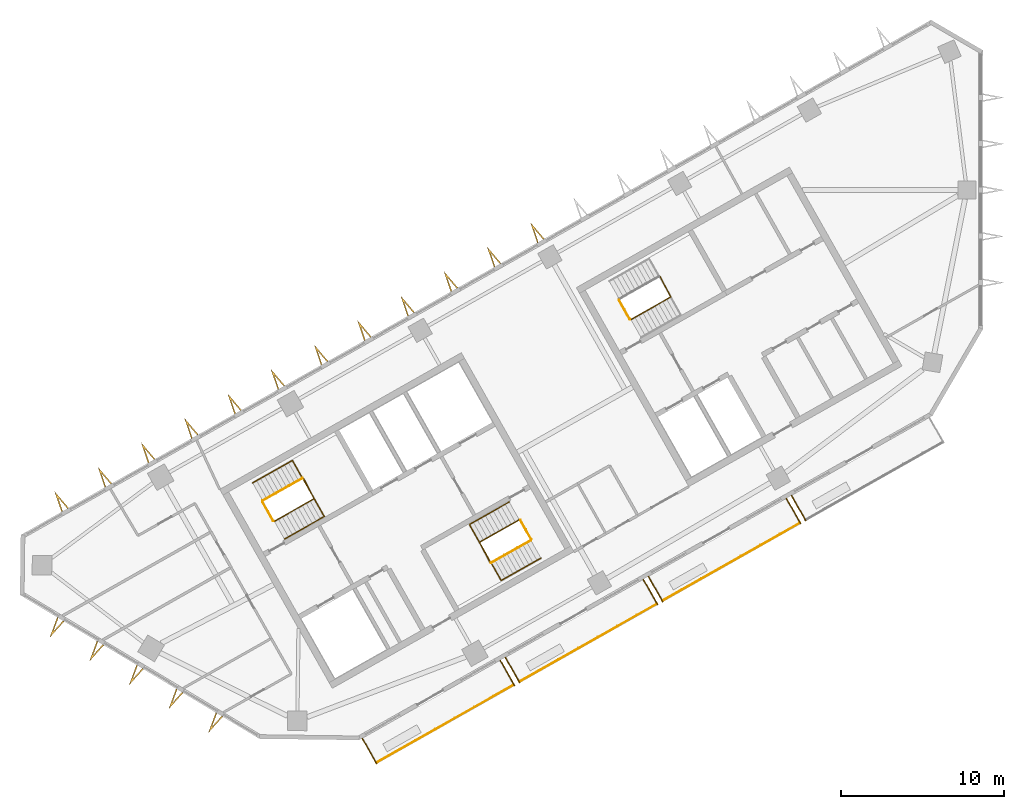
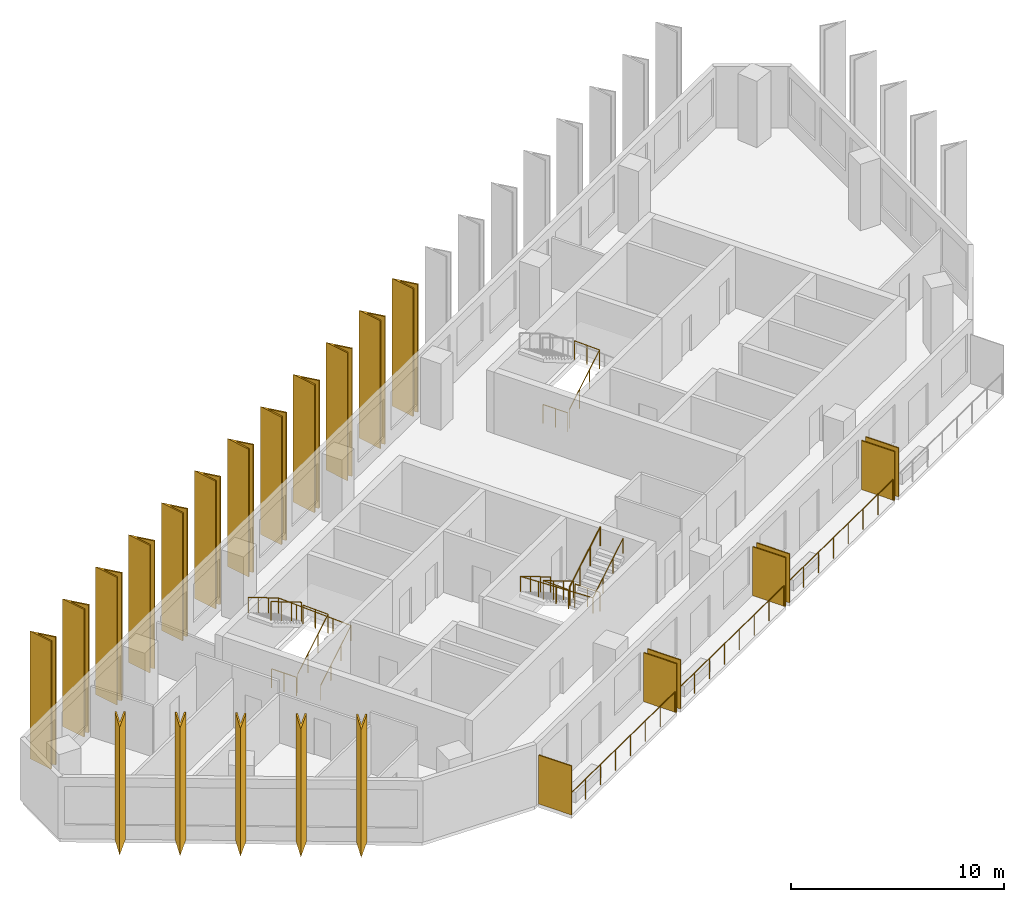
# One storey, part 6 of 8: 24 shading devices, 13 railings.
"""IFC4 building model written with IfcOpenShell, lengths in metres."""

from ifc_helpers import new_model, si_unit, direction, frame, origin, origin_2d, place, context, subcontext, project, spatial, polyline, rectangle, circle, outline, extrude, material, layer, layer_set, type_object, element, save


model = new_model("IFC4")

# Units and contexts
model_context = context("Model", 3, precision=1e-05, world=origin(), true_north=direction((0.0, 1.0)))
body_context = subcontext(model_context, "Body", "Model", "MODEL_VIEW")
ifc_project = project(units=[si_unit("LENGTHUNIT", "METRE"), si_unit("AREAUNIT", "SQUARE_METRE"), si_unit("VOLUMEUNIT", "CUBIC_METRE"), si_unit("PLANEANGLEUNIT", "RADIAN"), si_unit("MASSUNIT", "GRAM", prefix="KILO")], contexts=[model_context])

# Site, building, storey
site_placement = place(None, origin())
site = spatial("IfcSite", under=ifc_project, at=site_placement, CompositionType="ELEMENT")
building_placement = place(site_placement, origin())
building = spatial("IfcBuilding", under=site, at=building_placement, Name="Binnacle Exchange Tower", CompositionType="ELEMENT")
storey_placement = place(building_placement, frame((0.0, 0.0, 293.10009765625)))
storey = spatial("IfcBuildingStorey", under=building, at=storey_placement, Name="L65", CompositionType="ELEMENT", Elevation=293.10009765625)

# Railings
ifc_material_1 = material(Name="Bronze anodised aluminium frame", Category="aluminium")
railing_type_1 = type_object("IfcRailingType", Name="GUARD 1200", PredefinedType="GUARDRAIL", material=ifc_material_1)
for number, where, name in (
    (1, (-37.006591796875, 24.94287109375, 0.0), "Balcony guard H07-B00 L65"),
    (2, (-28.24365234375, 29.900634765625, 0.0), "Balcony guard H07-B01 L65"),
):
    element("IfcRailing", number, at=place(storey_placement, frame(where)), inside=storey, type_object=railing_type_1, Name=name, PredefinedType="GUARDRAIL", context=body_context, shape_type="SweptSolid", body=[
        extrude(circle(Radius=0.02392578125, at=origin_2d()), frame((0.0, 0.0, 1.17578125), z_axis=(0.870359171481, 0.492417417055, 0.0), x_axis=(-0.492417417055, 0.870359171481, 0.0)), (0.0, 0.0, 1.0), 9.648193359375),
        extrude(circle(Radius=0.02099609375, at=origin_2d()), origin(), (0.0, 0.0, 1.0), 1.15185546875),
        extrude(circle(Radius=0.02099609375, at=origin_2d()), frame((1.19970703125, 0.6787109375, 0.0)), (0.0, 0.0, 1.0), 1.15185546875),
        extrude(circle(Radius=0.02099609375, at=origin_2d()), frame((2.399169921875, 1.357421875, 0.0)), (0.0, 0.0, 1.0), 1.15185546875),
        extrude(circle(Radius=0.02099609375, at=origin_2d()), frame((3.598876953125, 2.0361328125, 0.0)), (0.0, 0.0, 1.0), 1.15185546875),
        extrude(circle(Radius=0.02099609375, at=origin_2d()), frame((4.798583984375, 2.71484375, 0.0)), (0.0, 0.0, 1.0), 1.15185546875),
        extrude(circle(Radius=0.02099609375, at=origin_2d()), frame((5.998291015625, 3.3935546875, 0.0)), (0.0, 0.0, 1.0), 1.15185546875),
        extrude(circle(Radius=0.02099609375, at=origin_2d()), frame((7.19775390625, 4.072265625, 0.0)), (0.0, 0.0, 1.0), 1.15185546875),
        extrude(circle(Radius=0.02099609375, at=origin_2d()), frame((8.3974609375, 4.7509765625, 0.0)), (0.0, 0.0, 1.0), 1.15185546875),
    ])
railing_1_placement = place(storey_placement, frame((-19.480712890625, 34.8583984375, 0.0)))
element("IfcRailing", 3, at=railing_1_placement, inside=storey, type_object=railing_type_1, Name="Balcony guard H07-B02 L65", PredefinedType="GUARDRAIL", context=body_context, shape_type="SweptSolid", body=[
    extrude(circle(Radius=0.02392578125, at=origin_2d()), frame((0.0, 0.0, 1.17578125), z_axis=(0.870342190373, 0.492447430349, 0.0), x_axis=(-0.492447430349, 0.870342190373, 0.0)), (0.0, 0.0, 1.0), 9.648193359375),
    extrude(circle(Radius=0.02099609375, at=origin_2d()), origin(), (0.0, 0.0, 1.0), 1.15185546875),
    extrude(circle(Radius=0.02099609375, at=origin_2d()), frame((1.19970703125, 0.6787109375, 0.0)), (0.0, 0.0, 1.0), 1.15185546875),
    extrude(circle(Radius=0.02099609375, at=origin_2d()), frame((2.399169921875, 1.357421875, 0.0)), (0.0, 0.0, 1.0), 1.15185546875),
    extrude(circle(Radius=0.02099609375, at=origin_2d()), frame((3.598876953125, 2.0361328125, 0.0)), (0.0, 0.0, 1.0), 1.15185546875),
    extrude(circle(Radius=0.02099609375, at=origin_2d()), frame((4.79833984375, 2.715087890625, 0.0)), (0.0, 0.0, 1.0), 1.15185546875),
    extrude(circle(Radius=0.02099609375, at=origin_2d()), frame((5.998046875, 3.393798828125, 0.0)), (0.0, 0.0, 1.0), 1.15185546875),
    extrude(circle(Radius=0.02099609375, at=origin_2d()), frame((7.197509765625, 4.072509765625, 0.0)), (0.0, 0.0, 1.0), 1.15185546875),
    extrude(circle(Radius=0.02099609375, at=origin_2d()), frame((8.397216796875, 4.751220703125, 0.0)), (0.0, 0.0, 1.0), 1.15185546875),
])

# Shading devices
ifc_material_2 = material(Name="Bronze aluminium louvre", Category="aluminium")
ifc_layer = layer(ifc_material_2, 0.06005859375)
ifc_layer_set = layer_set([ifc_layer], Name="PLANTED SCREEN 60x2800")
shading_device_type_1 = type_object("IfcShadingDeviceType", Name="PLANTED SCREEN 60x2800", PredefinedType="USERDEFINED", material=ifc_layer_set)
for number, where, z_axis, x_axis, name in (
    (4, (-37.436279296875, 25.641845703125, 0.0), (0.0, 0.0, 1.0), (0.87035569594, 0.492423560103, 0.0), "Planted screen H07-B00a L65"),
    (5, (-28.98681640625, 30.42236328125, 0.0), (0.0, 0.0, 1.0), (0.87035569594, 0.492423560103, 0.0), "Planted screen H07-B00b L65"),
    (6, (-28.673583984375, 30.599609375, 0.0), (0.0, 0.0, 1.0), (0.87035569594, 0.492423560103, 0.0), "Planted screen H07-B01a L65"),
    (7, (-20.223876953125, 35.380126953125, 0.0), (0.0, 0.0, 1.0), (0.87035569594, 0.492423560103, 0.0), "Planted screen H07-B01b L65"),
    (8, (-19.91064453125, 35.5576171875, 0.0), (0.0, 0.0, 1.0), (0.87035569594, 0.492423560103, 0.0), "Planted screen H07-B02a L65"),
    (9, (-11.461181640625, 40.337890625, 0.0), (0.0, 0.0, 1.0), (0.87035569594, 0.492423560103, 0.0), "Planted screen H07-B02b L65"),
    (10, (-11.147705078125, 40.51513671875, 0.0), (0.0, 0.0, 1.0), (0.87035569594, 0.492423560103, 0.0), "Planted screen H07-B03a L65"),
):
    element("IfcShadingDevice", number, at=place(storey_placement, frame(where, z_axis=z_axis, x_axis=x_axis)), inside=storey, type_object=shading_device_type_1, Name=name, ObjectType="SCREEN", PredefinedType="USERDEFINED", context=body_context, shape_type="SweptSolid", body=[
        extrude(rectangle(XDim=0.06005859375, YDim=1.800048828125, at=origin_2d()), origin(), (0.0, 0.0, 1.0), 2.800048828125),
    ])

# Railings
ifc_material_3 = material(Name="Steel guard rail", Category="steel")
railing_type_2 = type_object("IfcRailingType", Name="STAIR GUARD 1100", PredefinedType="GUARDRAIL", material=ifc_material_3)
railing_2_placement = place(storey_placement, frame((-43.26171875, 39.71728515625, 0.172607421875)))
element("IfcRailing", 11, at=railing_2_placement, inside=storey, type_object=railing_type_2, Name="L65 STA1 stair guard 1", PredefinedType="GUARDRAIL", context=body_context, shape_type="SweptSolid", body=[
    extrude(circle(Radius=0.02392578125, at=origin_2d()), frame((0.0, 0.0, 1.076171875), z_axis=(0.740737961854, 0.419123222656, 0.525017138862), x_axis=(-0.492453686477, 0.870338650569, 0.0)), (0.0, 0.0, 1.0), 3.2900390625),
    extrude(circle(Radius=0.02392578125, at=origin_2d()), frame((2.43701171875, 1.37890625, 2.80322265625), z_axis=(-0.461100321709, 0.887348011391, 0.0), x_axis=(-0.887348011391, -0.461100321709, 0.0)), (0.0, 0.0, 1.0), 1.40087890625),
    extrude(circle(Radius=0.02099609375, at=origin_2d()), origin(), (0.0, 0.0, 1.0), 1.052001953125),
    extrude(circle(Radius=0.02099609375, at=origin_2d()), frame((0.812255859375, 0.459716796875, 0.57568359375)), (0.0, 0.0, 1.0), 1.052001953125),
    extrude(circle(Radius=0.02099609375, at=origin_2d()), frame((1.624755859375, 0.919189453125, 1.151611328125)), (0.0, 0.0, 1.0), 1.052001953125),
    extrude(circle(Radius=0.02099609375, at=origin_2d()), frame((2.43701171875, 1.37890625, 1.727294921875)), (0.0, 0.0, 1.0), 1.052001953125),
    extrude(circle(Radius=0.02099609375, at=origin_2d()), frame((2.114013671875, 2.00048828125, 1.727294921875)), (0.0, 0.0, 1.0), 1.052001953125),
    extrude(circle(Radius=0.02099609375, at=origin_2d()), frame((1.791015625, 2.6220703125, 1.727294921875)), (0.0, 0.0, 1.0), 1.052001953125),
])
railing_3_placement = place(storey_placement, frame((-41.538818359375, 42.358154296875, 2.072509765625)))
element("IfcRailing", 12, at=railing_3_placement, inside=storey, type_object=railing_type_2, Name="L65 STA1 stair guard 2", PredefinedType="GUARDRAIL", context=body_context, shape_type="SweptSolid", body=[
    extrude(circle(Radius=0.02392578125, at=origin_2d()), frame((0.0, 0.0, 1.076171875), z_axis=(-0.740737961854, -0.419123222656, 0.525017138862), x_axis=(0.492453686477, -0.870338650569, 0.0)), (0.0, 0.0, 1.0), 3.2900390625),
    extrude(circle(Radius=0.02099609375, at=origin_2d()), origin(), (0.0, 0.0, 1.0), 1.052001953125),
    extrude(circle(Radius=0.02099609375, at=origin_2d()), frame((-0.812255859375, -0.459716796875, 0.57568359375)), (0.0, 0.0, 1.0), 1.052001953125),
    extrude(circle(Radius=0.02099609375, at=origin_2d()), frame((-1.624755859375, -0.919189453125, 1.151611328125)), (0.0, 0.0, 1.0), 1.052001953125),
    extrude(circle(Radius=0.02099609375, at=origin_2d()), frame((-2.43701171875, -1.37890625, 1.727294921875)), (0.0, 0.0, 1.0), 1.052001953125),
])
railing_4_placement = place(storey_placement, frame((-43.329833984375, 39.736328125, 0.0)))
element("IfcRailing", 13, at=railing_4_placement, inside=storey, type_object=railing_type_2, Name="L65 STA1 stair guard 3", PredefinedType="GUARDRAIL", context=body_context, shape_type="SweptSolid", body=[
    extrude(circle(Radius=0.02392578125, at=origin_2d()), frame((0.0, 0.0, 1.076171875), z_axis=(-0.4924922531, 0.870316827734, 0.0), x_axis=(-0.870316827734, -0.4924922531, 0.0)), (0.0, 0.0, 1.0), 1.349853515625),
    extrude(circle(Radius=0.02099609375, at=origin_2d()), origin(), (0.0, 0.0, 1.0), 1.052001953125),
    extrude(circle(Radius=0.02099609375, at=origin_2d()), frame((-0.33251953125, 0.58740234375, 0.0)), (0.0, 0.0, 1.0), 1.052001953125),
    extrude(circle(Radius=0.02099609375, at=origin_2d()), frame((-0.664794921875, 1.1748046875, 0.0)), (0.0, 0.0, 1.0), 1.052001953125),
])
railing_5_placement = place(storey_placement, frame((-28.265380859375, 39.814453125, 0.172607421875)))
element("IfcRailing", 14, at=railing_5_placement, inside=storey, type_object=railing_type_2, Name="L65 STA2 stair guard 1", PredefinedType="GUARDRAIL", context=body_context, shape_type="SweptSolid", body=[
    extrude(circle(Radius=0.02392578125, at=origin_2d()), frame((0.0, 0.0, 1.076171875), z_axis=(-0.740760999345, -0.419062048017, 0.525033467278), x_axis=(0.492387636113, -0.870376019777, 0.0)), (0.0, 0.0, 1.0), 3.289794921875),
    extrude(circle(Radius=0.02392578125, at=origin_2d()), frame((-2.43701171875, -1.378662109375, 2.80322265625), z_axis=(0.460963092712, -0.887419307406, 0.0), x_axis=(0.887419307406, 0.460963092712, 0.0)), (0.0, 0.0, 1.0), 1.40087890625),
    extrude(circle(Radius=0.02099609375, at=origin_2d()), origin(), (0.0, 0.0, 1.0), 1.052001953125),
    extrude(circle(Radius=0.02099609375, at=origin_2d()), frame((-0.812255859375, -0.45947265625, 0.57568359375)), (0.0, 0.0, 1.0), 1.052001953125),
    extrude(circle(Radius=0.02099609375, at=origin_2d()), frame((-1.624755859375, -0.919189453125, 1.151611328125)), (0.0, 0.0, 1.0), 1.052001953125),
    extrude(circle(Radius=0.02099609375, at=origin_2d()), frame((-2.43701171875, -1.378662109375, 1.727294921875)), (0.0, 0.0, 1.0), 1.052001953125),
    extrude(circle(Radius=0.02099609375, at=origin_2d()), frame((-2.1142578125, -2.000244140625, 1.727294921875)), (0.0, 0.0, 1.0), 1.052001953125),
    extrude(circle(Radius=0.02099609375, at=origin_2d()), frame((-1.791259765625, -2.621826171875, 1.727294921875)), (0.0, 0.0, 1.0), 1.052001953125),
])
railing_6_placement = place(storey_placement, frame((-29.988525390625, 37.173583984375, 2.072509765625)))
element("IfcRailing", 15, at=railing_6_placement, inside=storey, type_object=railing_type_2, Name="L65 STA2 stair guard 2", PredefinedType="GUARDRAIL", context=body_context, shape_type="SweptSolid", body=[
    extrude(circle(Radius=0.02392578125, at=origin_2d()), frame((0.0, 0.0, 1.076171875), z_axis=(0.740737961854, 0.419123222656, 0.525017138862), x_axis=(-0.492453686477, 0.870338650569, 0.0)), (0.0, 0.0, 1.0), 3.2900390625),
    extrude(circle(Radius=0.02099609375, at=origin_2d()), origin(), (0.0, 0.0, 1.0), 1.052001953125),
    extrude(circle(Radius=0.02099609375, at=origin_2d()), frame((0.812255859375, 0.459716796875, 0.57568359375)), (0.0, 0.0, 1.0), 1.052001953125),
    extrude(circle(Radius=0.02099609375, at=origin_2d()), frame((1.624755859375, 0.919189453125, 1.151611328125)), (0.0, 0.0, 1.0), 1.052001953125),
    extrude(circle(Radius=0.02099609375, at=origin_2d()), frame((2.43701171875, 1.37890625, 1.727294921875)), (0.0, 0.0, 1.0), 1.052001953125),
])
railing_7_placement = place(storey_placement, frame((-28.197265625, 39.795654296875, 0.0)))
element("IfcRailing", 16, at=railing_7_placement, inside=storey, type_object=railing_type_2, Name="L65 STA2 stair guard 3", PredefinedType="GUARDRAIL", context=body_context, shape_type="SweptSolid", body=[
    extrude(circle(Radius=0.02392578125, at=origin_2d()), frame((0.0, 0.0, 1.076171875), z_axis=(0.49241474071, -0.870360685654, 0.0), x_axis=(0.870360685654, 0.49241474071, 0.0)), (0.0, 0.0, 1.0), 1.35009765625),
    extrude(circle(Radius=0.02099609375, at=origin_2d()), origin(), (0.0, 0.0, 1.0), 1.052001953125),
    extrude(circle(Radius=0.02099609375, at=origin_2d()), frame((0.33251953125, -0.58740234375, 0.0)), (0.0, 0.0, 1.0), 1.052001953125),
    extrude(circle(Radius=0.02099609375, at=origin_2d()), frame((0.664794921875, -1.175048828125, 0.0)), (0.0, 0.0, 1.0), 1.052001953125),
])
railing_8_placement = place(storey_placement, frame((-21.423828125, 52.07275390625, 0.172607421875)))
element("IfcRailing", 17, at=railing_8_placement, inside=storey, type_object=railing_type_2, Name="L65 STC1 stair guard 1", PredefinedType="GUARDRAIL", context=body_context, shape_type="SweptSolid", body=[
    extrude(circle(Radius=0.02392578125, at=origin_2d()), frame((0.0, 0.0, 1.076171875), z_axis=(0.740760999345, 0.419062048017, 0.525033467278), x_axis=(-0.492387636113, 0.870376019777, 0.0)), (0.0, 0.0, 1.0), 3.289794921875),
    extrude(circle(Radius=0.02392578125, at=origin_2d()), frame((2.43701171875, 1.378662109375, 2.80322265625), z_axis=(-0.460963092712, 0.887419307406, 0.0), x_axis=(-0.887419307406, -0.460963092712, 0.0)), (0.0, 0.0, 1.0), 1.40087890625),
    extrude(circle(Radius=0.02099609375, at=origin_2d()), origin(), (0.0, 0.0, 1.0), 1.052001953125),
    extrude(circle(Radius=0.02099609375, at=origin_2d()), frame((0.812255859375, 0.45947265625, 0.57568359375)), (0.0, 0.0, 1.0), 1.052001953125),
    extrude(circle(Radius=0.02099609375, at=origin_2d()), frame((1.624755859375, 0.919189453125, 1.151611328125)), (0.0, 0.0, 1.0), 1.052001953125),
    extrude(circle(Radius=0.02099609375, at=origin_2d()), frame((2.43701171875, 1.378662109375, 1.727294921875)), (0.0, 0.0, 1.0), 1.052001953125),
    extrude(circle(Radius=0.02099609375, at=origin_2d()), frame((2.1142578125, 2.000244140625, 1.727294921875)), (0.0, 0.0, 1.0), 1.052001953125),
    extrude(circle(Radius=0.02099609375, at=origin_2d()), frame((1.791259765625, 2.621826171875, 1.727294921875)), (0.0, 0.0, 1.0), 1.052001953125),
])
railing_9_placement = place(storey_placement, frame((-21.491943359375, 52.091552734375, 0.0)))
element("IfcRailing", 18, at=railing_9_placement, inside=storey, type_object=railing_type_2, Name="L65 STC1 stair guard 3", PredefinedType="GUARDRAIL", context=body_context, shape_type="SweptSolid", body=[
    extrude(circle(Radius=0.02392578125, at=origin_2d()), frame((0.0, 0.0, 1.076171875), z_axis=(-0.49241474071, 0.870360685654, 0.0), x_axis=(-0.870360685654, -0.49241474071, 0.0)), (0.0, 0.0, 1.0), 1.35009765625),
    extrude(circle(Radius=0.02099609375, at=origin_2d()), origin(), (0.0, 0.0, 1.0), 1.052001953125),
    extrude(circle(Radius=0.02099609375, at=origin_2d()), frame((-0.33251953125, 0.58740234375, 0.0)), (0.0, 0.0, 1.0), 1.052001953125),
    extrude(circle(Radius=0.02099609375, at=origin_2d()), frame((-0.664794921875, 1.175048828125, 0.0)), (0.0, 0.0, 1.0), 1.052001953125),
])
ifc_material_4 = material(Name="Steel handrail", Category="steel")
railing_type_3 = type_object("IfcRailingType", Name="STAIR HANDRAIL 900", PredefinedType="HANDRAIL", material=ifc_material_4)
railing_10_placement = place(storey_placement, frame((-42.646240234375, 38.62939453125, 0.172607421875)))
element("IfcRailing", 19, at=railing_10_placement, inside=storey, type_object=railing_type_3, Name="L65 STA1 stair handrail 1", PredefinedType="HANDRAIL", context=body_context, shape_type="SweptSolid", body=[
    extrude(circle(Radius=0.02392578125, at=origin_2d()), frame((0.0, 0.0, 0.8759765625), z_axis=(0.740760999345, 0.419062048017, 0.525033467278), x_axis=(-0.492387636113, 0.870376019777, 0.0)), (0.0, 0.0, 1.0), 3.289794921875),
    extrude(circle(Radius=0.02392578125, at=origin_2d()), frame((2.43701171875, 1.378662109375, 2.60302734375), z_axis=(-0.491944173491, 0.869531549026, 0.043655645871), x_axis=(-0.870361318571, -0.492413622004, 0.0)), (0.0, 0.0, 1.0), 3.953857421875),
    extrude(circle(Radius=0.02392578125, at=origin_2d()), frame((0.491943359375, 4.816650390625, 2.77587890625), z_axis=(-0.740760999345, -0.419062048017, 0.525033467278), x_axis=(0.492387636113, -0.870376019777, 0.0)), (0.0, 0.0, 1.0), 3.289794921875),
    extrude(circle(Radius=0.02099609375, at=origin_2d()), origin(), (0.0, 0.0, 1.0), 0.851806640625),
    extrude(circle(Radius=0.02099609375, at=origin_2d()), frame((0.812255859375, 0.45947265625, 0.57568359375)), (0.0, 0.0, 1.0), 0.851806640625),
    extrude(circle(Radius=0.02099609375, at=origin_2d()), frame((1.624755859375, 0.919189453125, 1.151611328125)), (0.0, 0.0, 1.0), 0.851806640625),
    extrude(circle(Radius=0.02099609375, at=origin_2d()), frame((2.43701171875, 1.378662109375, 1.727294921875)), (0.0, 0.0, 1.0), 0.851806640625),
    extrude(circle(Radius=0.02099609375, at=origin_2d()), frame((1.95068359375, 2.23828125, 1.7705078125)), (0.0, 0.0, 1.0), 0.851806640625),
    extrude(circle(Radius=0.02099609375, at=origin_2d()), frame((1.46435546875, 3.09765625, 1.8134765625)), (0.0, 0.0, 1.0), 0.851806640625),
    extrude(circle(Radius=0.02099609375, at=origin_2d()), frame((0.978271484375, 3.95703125, 1.856689453125)), (0.0, 0.0, 1.0), 0.851806640625),
    extrude(circle(Radius=0.02099609375, at=origin_2d()), frame((0.491943359375, 4.816650390625, 1.89990234375)), (0.0, 0.0, 1.0), 0.851806640625),
    extrude(circle(Radius=0.02099609375, at=origin_2d()), frame((-0.3203125, 4.357177734375, 2.4755859375)), (0.0, 0.0, 1.0), 0.851806640625),
    extrude(circle(Radius=0.02099609375, at=origin_2d()), frame((-1.1328125, 3.8974609375, 3.051513671875)), (0.0, 0.0, 1.0), 0.851806640625),
    extrude(circle(Radius=0.02099609375, at=origin_2d()), frame((-1.945068359375, 3.43798828125, 3.627197265625)), (0.0, 0.0, 1.0), 0.851806640625),
])
railing_11_placement = place(storey_placement, frame((-28.880859375, 40.90234375, 0.172607421875)))
element("IfcRailing", 20, at=railing_11_placement, inside=storey, type_object=railing_type_3, Name="L65 STA2 stair handrail 1", PredefinedType="HANDRAIL", context=body_context, shape_type="SweptSolid", body=[
    extrude(circle(Radius=0.02392578125, at=origin_2d()), frame((0.0, 0.0, 0.8759765625), z_axis=(-0.740760999345, -0.419062048017, 0.525033467278), x_axis=(0.492387636113, -0.870376019777, 0.0)), (0.0, 0.0, 1.0), 3.289794921875),
    extrude(circle(Radius=0.02392578125, at=origin_2d()), frame((-2.43701171875, -1.378662109375, 2.60302734375), z_axis=(0.491944173491, -0.869531549026, 0.043655645871), x_axis=(0.870361318571, 0.492413622004, 0.0)), (0.0, 0.0, 1.0), 3.953857421875),
    extrude(circle(Radius=0.02392578125, at=origin_2d()), frame((-0.491943359375, -4.816650390625, 2.77587890625), z_axis=(0.740737961854, 0.419123222656, 0.525017138862), x_axis=(-0.492453686477, 0.870338650569, 0.0)), (0.0, 0.0, 1.0), 3.2900390625),
    extrude(circle(Radius=0.02099609375, at=origin_2d()), origin(), (0.0, 0.0, 1.0), 0.851806640625),
    extrude(circle(Radius=0.02099609375, at=origin_2d()), frame((-0.812255859375, -0.45947265625, 0.57568359375)), (0.0, 0.0, 1.0), 0.851806640625),
    extrude(circle(Radius=0.02099609375, at=origin_2d()), frame((-1.624755859375, -0.919189453125, 1.151611328125)), (0.0, 0.0, 1.0), 0.851806640625),
    extrude(circle(Radius=0.02099609375, at=origin_2d()), frame((-2.43701171875, -1.378662109375, 1.727294921875)), (0.0, 0.0, 1.0), 0.851806640625),
    extrude(circle(Radius=0.02099609375, at=origin_2d()), frame((-1.95068359375, -2.23828125, 1.7705078125)), (0.0, 0.0, 1.0), 0.851806640625),
    extrude(circle(Radius=0.02099609375, at=origin_2d()), frame((-1.46435546875, -3.09765625, 1.8134765625)), (0.0, 0.0, 1.0), 0.851806640625),
    extrude(circle(Radius=0.02099609375, at=origin_2d()), frame((-0.978271484375, -3.95703125, 1.856689453125)), (0.0, 0.0, 1.0), 0.851806640625),
    extrude(circle(Radius=0.02099609375, at=origin_2d()), frame((-0.491943359375, -4.816650390625, 1.89990234375)), (0.0, 0.0, 1.0), 0.851806640625),
    extrude(circle(Radius=0.02099609375, at=origin_2d()), frame((0.3203125, -4.35693359375, 2.4755859375)), (0.0, 0.0, 1.0), 0.851806640625),
    extrude(circle(Radius=0.02099609375, at=origin_2d()), frame((1.1328125, -3.8974609375, 3.051513671875)), (0.0, 0.0, 1.0), 0.851806640625),
    extrude(circle(Radius=0.02099609375, at=origin_2d()), frame((1.945068359375, -3.437744140625, 3.627197265625)), (0.0, 0.0, 1.0), 0.851806640625),
])

# Shading devices
ifc_material_5 = material(Name="Bronze aluminium cladding", Category="aluminium")
shading_device_type_2 = type_object("IfcShadingDeviceType", Name="V FIN 1300 DEEP x 7320 HIGH", PredefinedType="USERDEFINED", material=ifc_material_5)
shading_device_1_placement = place(storey_placement, origin())
element("IfcShadingDevice", 21, at=shading_device_1_placement, inside=storey, type_object=shading_device_type_2, Name="V fin FN-H03-09 L65", ObjectType="FIN", PredefinedType="USERDEFINED", context=body_context, shape_type="SweptSolid", body=[
    extrude(outline(polyline([(-26.72900390625, 57.02099609375), (-27.586669921875, 58.029541015625), (-27.1640625, 56.77490234375), (-27.09326171875, 56.81494140625), (-27.3779296875, 57.660888671875), (-26.7998046875, 56.98095703125), (-26.72900390625, 57.02099609375)])), origin(), (0.0, 0.0, 1.0), 7.31982421875),
])
shading_device_2_placement = place(storey_placement, origin())
element("IfcShadingDevice", 22, at=shading_device_2_placement, inside=storey, type_object=shading_device_type_2, Name="V fin FN-H03-10 L65", ObjectType="FIN", PredefinedType="USERDEFINED", context=body_context, shape_type="SweptSolid", body=[
    extrude(outline(polyline([(-29.377685546875, 55.5224609375), (-30.2353515625, 56.531005859375), (-29.812744140625, 55.2763671875), (-29.741943359375, 55.31640625), (-30.026611328125, 56.162109375), (-29.448486328125, 55.482421875), (-29.377685546875, 55.5224609375)])), origin(), (0.0, 0.0, 1.0), 7.31982421875),
])
shading_device_3_placement = place(storey_placement, origin())
element("IfcShadingDevice", 23, at=shading_device_3_placement, inside=storey, type_object=shading_device_type_2, Name="V fin FN-H03-11 L65", ObjectType="FIN", PredefinedType="USERDEFINED", context=body_context, shape_type="SweptSolid", body=[
    extrude(outline(polyline([(-32.0263671875, 54.02392578125), (-32.884033203125, 55.032470703125), (-32.46142578125, 53.77783203125), (-32.390625, 53.81787109375), (-32.67529296875, 54.663818359375), (-32.09716796875, 53.98388671875), (-32.0263671875, 54.02392578125)])), origin(), (0.0, 0.0, 1.0), 7.31982421875),
])
shading_device_4_placement = place(storey_placement, origin())
element("IfcShadingDevice", 24, at=shading_device_4_placement, inside=storey, type_object=shading_device_type_2, Name="V fin FN-H03-12 L65", ObjectType="FIN", PredefinedType="USERDEFINED", context=body_context, shape_type="SweptSolid", body=[
    extrude(outline(polyline([(-34.675048828125, 52.525390625), (-35.53271484375, 53.53369140625), (-35.110107421875, 52.279296875), (-35.039306640625, 52.3193359375), (-35.32421875, 53.1650390625), (-34.745849609375, 52.4853515625), (-34.675048828125, 52.525390625)])), origin(), (0.0, 0.0, 1.0), 7.31982421875),
])
shading_device_5_placement = place(storey_placement, origin())
element("IfcShadingDevice", 25, at=shading_device_5_placement, inside=storey, type_object=shading_device_type_2, Name="V fin FN-H03-13 L65", ObjectType="FIN", PredefinedType="USERDEFINED", context=body_context, shape_type="SweptSolid", body=[
    extrude(outline(polyline([(-37.32373046875, 51.02685546875), (-38.181640625, 52.03515625), (-37.759033203125, 50.780517578125), (-37.68798828125, 50.82080078125), (-37.972900390625, 51.66650390625), (-37.394775390625, 50.98681640625), (-37.32373046875, 51.02685546875)])), origin(), (0.0, 0.0, 1.0), 7.31982421875),
])
shading_device_6_placement = place(storey_placement, origin())
element("IfcShadingDevice", 26, at=shading_device_6_placement, inside=storey, type_object=shading_device_type_2, Name="V fin FN-H03-14 L65", ObjectType="FIN", PredefinedType="USERDEFINED", context=body_context, shape_type="SweptSolid", body=[
    extrude(outline(polyline([(-39.972412109375, 49.5283203125), (-40.830322265625, 50.53662109375), (-40.40771484375, 49.281982421875), (-40.3369140625, 49.322021484375), (-40.62158203125, 50.16796875), (-40.04345703125, 49.488037109375), (-39.972412109375, 49.5283203125)])), origin(), (0.0, 0.0, 1.0), 7.31982421875),
])
shading_device_7_placement = place(storey_placement, origin())
element("IfcShadingDevice", 27, at=shading_device_7_placement, inside=storey, type_object=shading_device_type_2, Name="V fin FN-H03-15 L65", ObjectType="FIN", PredefinedType="USERDEFINED", context=body_context, shape_type="SweptSolid", body=[
    extrude(outline(polyline([(-42.621337890625, 48.029541015625), (-43.47900390625, 49.0380859375), (-43.056396484375, 47.783447265625), (-42.985595703125, 47.823486328125), (-43.2705078125, 48.669189453125), (-42.692138671875, 47.989501953125), (-42.621337890625, 48.029541015625)])), origin(), (0.0, 0.0, 1.0), 7.31982421875),
])
shading_device_8_placement = place(storey_placement, origin())
element("IfcShadingDevice", 28, at=shading_device_8_placement, inside=storey, type_object=shading_device_type_2, Name="V fin FN-H03-16 L65", ObjectType="FIN", PredefinedType="USERDEFINED", context=body_context, shape_type="SweptSolid", body=[
    extrude(outline(polyline([(-45.27001953125, 46.531005859375), (-46.127685546875, 47.539306640625), (-45.705078125, 46.284912109375), (-45.63427734375, 46.324951171875), (-45.919189453125, 47.170654296875), (-45.3408203125, 46.490966796875), (-45.27001953125, 46.531005859375)])), origin(), (0.0, 0.0, 1.0), 7.31982421875),
])
shading_device_9_placement = place(storey_placement, origin())
element("IfcShadingDevice", 29, at=shading_device_9_placement, inside=storey, type_object=shading_device_type_2, Name="V fin FN-H03-17 L65", ObjectType="FIN", PredefinedType="USERDEFINED", context=body_context, shape_type="SweptSolid", body=[
    extrude(outline(polyline([(-47.918701171875, 45.032470703125), (-48.776611328125, 46.040771484375), (-48.35400390625, 44.7861328125), (-48.283203125, 44.826416015625), (-48.56787109375, 45.672119140625), (-47.98974609375, 44.9921875), (-47.918701171875, 45.032470703125)])), origin(), (0.0, 0.0, 1.0), 7.31982421875),
])
shading_device_10_placement = place(storey_placement, origin())
element("IfcShadingDevice", 30, at=shading_device_10_placement, inside=storey, type_object=shading_device_type_2, Name="V fin FN-H03-18 L65", ObjectType="FIN", PredefinedType="USERDEFINED", context=body_context, shape_type="SweptSolid", body=[
    extrude(outline(polyline([(-50.5673828125, 43.533935546875), (-51.42529296875, 44.542236328125), (-51.002685546875, 43.28759765625), (-50.931884765625, 43.327880859375), (-51.216552734375, 44.173583984375), (-50.638427734375, 43.493896484375), (-50.5673828125, 43.533935546875)])), origin(), (0.0, 0.0, 1.0), 7.31982421875),
])
shading_device_11_placement = place(storey_placement, origin())
element("IfcShadingDevice", 31, at=shading_device_11_placement, inside=storey, type_object=shading_device_type_2, Name="V fin FN-H03-19 L65", ObjectType="FIN", PredefinedType="USERDEFINED", context=body_context, shape_type="SweptSolid", body=[
    extrude(outline(polyline([(-53.21630859375, 42.035400390625), (-54.073974609375, 43.043701171875), (-53.6513671875, 41.7890625), (-53.58056640625, 41.8291015625), (-53.865234375, 42.675048828125), (-53.287109375, 41.9951171875), (-53.21630859375, 42.035400390625)])), origin(), (0.0, 0.0, 1.0), 7.31982421875),
])
shading_device_12_placement = place(storey_placement, origin())
element("IfcShadingDevice", 32, at=shading_device_12_placement, inside=storey, type_object=shading_device_type_2, Name="V fin FN-H03-20 L65", ObjectType="FIN", PredefinedType="USERDEFINED", context=body_context, shape_type="SweptSolid", body=[
    extrude(outline(polyline([(-55.864990234375, 40.53662109375), (-56.722900390625, 41.545166015625), (-56.30029296875, 40.29052734375), (-56.229248046875, 40.33056640625), (-56.51416015625, 41.176513671875), (-55.935791015625, 40.49658203125), (-55.864990234375, 40.53662109375)])), origin(), (0.0, 0.0, 1.0), 7.31982421875),
])
shading_device_13_placement = place(storey_placement, origin())
element("IfcShadingDevice", 33, at=shading_device_13_placement, inside=storey, type_object=shading_device_type_2, Name="V fin FN-H05-01 L65", ObjectType="FIN", PredefinedType="USERDEFINED", context=body_context, shape_type="SweptSolid", body=[
    extrude(outline(polyline([(-56.566162109375, 33.842529296875), (-57.021240234375, 32.599365234375), (-56.137451171875, 33.5849609375), (-56.207275390625, 33.626953125), (-56.80322265625, 32.96240234375), (-56.496337890625, 33.800537109375), (-56.566162109375, 33.842529296875)])), origin(), (0.0, 0.0, 1.0), 7.31982421875),
])
shading_device_14_placement = place(storey_placement, origin())
element("IfcShadingDevice", 34, at=shading_device_14_placement, inside=storey, type_object=shading_device_type_2, Name="V fin FN-H05-02 L65", ObjectType="FIN", PredefinedType="USERDEFINED", context=body_context, shape_type="SweptSolid", body=[
    extrude(outline(polyline([(-54.137451171875, 32.38330078125), (-54.592529296875, 31.14013671875), (-53.708740234375, 32.12548828125), (-53.778564453125, 32.16748046875), (-54.37451171875, 31.503173828125), (-54.067626953125, 32.34130859375), (-54.137451171875, 32.38330078125)])), origin(), (0.0, 0.0, 1.0), 7.31982421875),
])
shading_device_15_placement = place(storey_placement, origin())
element("IfcShadingDevice", 35, at=shading_device_15_placement, inside=storey, type_object=shading_device_type_2, Name="V fin FN-H05-03 L65", ObjectType="FIN", PredefinedType="USERDEFINED", context=body_context, shape_type="SweptSolid", body=[
    extrude(outline(polyline([(-51.708740234375, 30.923828125), (-52.1640625, 29.680908203125), (-51.2802734375, 30.666259765625), (-51.35009765625, 30.708251953125), (-51.94580078125, 30.0439453125), (-51.638916015625, 30.8818359375), (-51.708740234375, 30.923828125)])), origin(), (0.0, 0.0, 1.0), 7.31982421875),
])
shading_device_16_placement = place(storey_placement, origin())
element("IfcShadingDevice", 36, at=shading_device_16_placement, inside=storey, type_object=shading_device_type_2, Name="V fin FN-H05-04 L65", ObjectType="FIN", PredefinedType="USERDEFINED", context=body_context, shape_type="SweptSolid", body=[
    extrude(outline(polyline([(-49.280029296875, 29.464599609375), (-49.7353515625, 28.2216796875), (-48.8515625, 29.20703125), (-48.92138671875, 29.2490234375), (-49.51708984375, 28.584716796875), (-49.210205078125, 29.422607421875), (-49.280029296875, 29.464599609375)])), origin(), (0.0, 0.0, 1.0), 7.31982421875),
])
shading_device_17_placement = place(storey_placement, origin())
element("IfcShadingDevice", 37, at=shading_device_17_placement, inside=storey, type_object=shading_device_type_2, Name="V fin FN-H05-05 L65", ObjectType="FIN", PredefinedType="USERDEFINED", context=body_context, shape_type="SweptSolid", body=[
    extrude(outline(polyline([(-46.8515625, 28.00537109375), (-47.306640625, 26.76220703125), (-46.4228515625, 27.747802734375), (-46.49267578125, 27.789794921875), (-47.088623046875, 27.12548828125), (-46.78173828125, 27.96337890625), (-46.8515625, 28.00537109375)])), origin(), (0.0, 0.0, 1.0), 7.31982421875),
])

save(model, "model.ifc")
